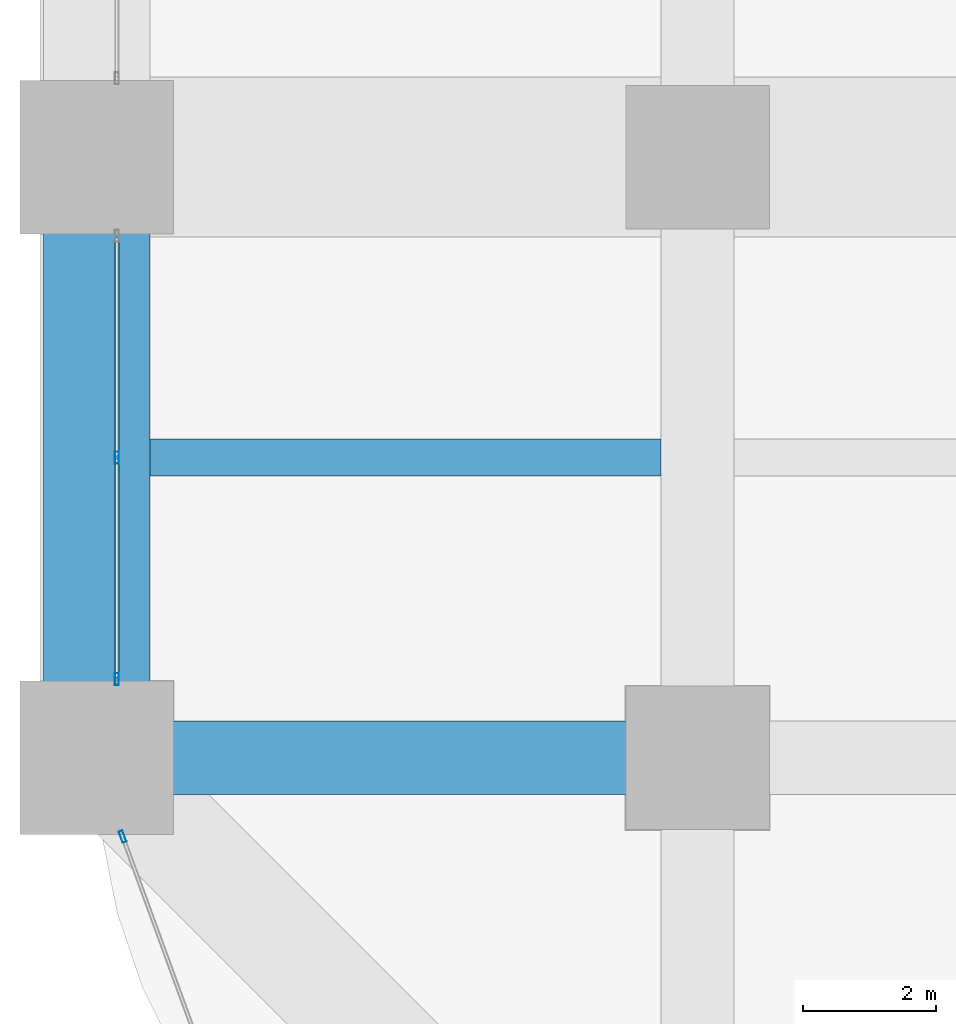
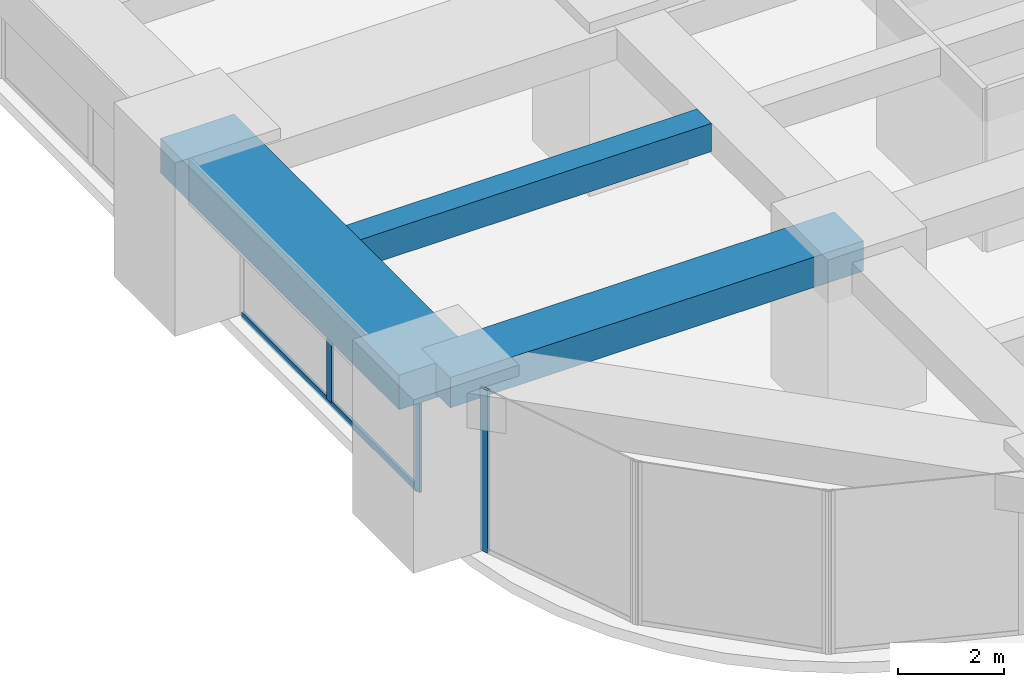
# One storey, part 4 of 44: 4 members, 3 beams, 2 elements without a shape of their own.
"""IFC4 building model written with IfcOpenShell, lengths in metres."""

import ifcopenshell
import ifcopenshell.guid

model = None  # the IFC model being written
_history = None  # IfcOwnerHistory: only IFC2X3 demands one
_inside = {}  # id of a spatial element -> (the spatial element, [elements in it])
_under = {}  # id of a project, library or spatial element -> (it, [spatial elements below it])
_declared = {}  # id of a project -> (the project, [libraries it declares])
_typed = {}  # id of a type object -> (the type object, [elements of that type])
_made_of = {}  # id of a material, layer set ... -> (it, [elements and type objects made of it])


def new_model(schema):
    """Start an empty IFC model of exactly this schema.

    Asked for "IFC4X3", IfcOpenShell would pick the latest addendum, in which some entities
    have other attributes; the version numbers below select the first issue.
    IFC2X3 requires an IfcOwnerHistory on every rooted entity: one is made here for all.
    """
    global model, _history
    if schema == "IFC4X3":
        model = ifcopenshell.file(schema_version=(4, 3, 0, 0))
    else:
        model = ifcopenshell.file(schema=schema)
    _inside.clear()
    _under.clear()
    _declared.clear()
    _typed.clear()
    _made_of.clear()
    _history = None
    if model.schema == "IFC2X3":
        org = make("IfcOrganization", Name="unknown")
        user = make(
            "IfcPersonAndOrganization",
            ThePerson=make("IfcPerson", FamilyName="unknown"),
            TheOrganization=org,
        )
        app = make(
            "IfcApplication",
            ApplicationDeveloper=org,
            Version="unknown",
            ApplicationFullName="unknown",
            ApplicationIdentifier="unknown",
        )
        _history = make(
            "IfcOwnerHistory",
            OwningUser=user,
            OwningApplication=app,
            ChangeAction="ADDED",
            CreationDate=0,
        )
    return model


def make(cls, **values):
    """One entity of the class cls with the attributes given. An attribute that is None is left unset."""
    return model.create_entity(
        cls, **{name: value for name, value in values.items() if value is not None}
    )


def rooted(cls, **values):
    """An entity with a GlobalId (a new one), such as an element, a storey or a relation."""
    return make(cls, GlobalId=ifcopenshell.guid.new(), OwnerHistory=_history, **values)


def si_unit(unit_type, name, prefix=None):
    """IfcSIUnit, for example si_unit("LENGTHUNIT", "METRE", prefix="MILLI")."""
    return make("IfcSIUnit", UnitType=unit_type, Prefix=prefix, Name=name)


def assignment(units):
    """IfcUnitAssignment: the units of a project."""
    return None if units is None else make("IfcUnitAssignment", Units=units)


def point(xyz):
    """IfcCartesianPoint."""
    return None if xyz is None else make("IfcCartesianPoint", Coordinates=xyz)


def direction(xyz):
    """IfcDirection."""
    return None if xyz is None else make("IfcDirection", DirectionRatios=xyz)


def frame(location, z_axis=None, x_axis=None):
    """IfcAxis2Placement3D, a coordinate frame: its origin and axes. An axis left out is left unset."""
    return make(
        "IfcAxis2Placement3D",
        Location=point(location),
        Axis=direction(z_axis),
        RefDirection=direction(x_axis),
    )


def frame_2d(location, x_axis=None):
    """IfcAxis2Placement2D, a coordinate frame in the plane: its origin and x axis."""
    return make(
        "IfcAxis2Placement2D", Location=point(location), RefDirection=direction(x_axis)
    )


def origin():
    """The frame at (0, 0, 0) with its axes left unset."""
    return frame((0.0, 0.0, 0.0))


def origin_2d():
    """The frame at (0, 0) in the plane with its x axis left unset."""
    return frame_2d((0.0, 0.0))


def place(relative_to, where):
    """IfcLocalPlacement: puts the frame where relative to a parent placement (None: the world)."""
    return make(
        "IfcLocalPlacement", PlacementRelTo=relative_to, RelativePlacement=where
    )


def context(
    kind, dimensions, precision=None, world=None, true_north=None, identifier=None
):
    """IfcGeometricRepresentationContext, for example the 3D "Model" context."""
    return make(
        "IfcGeometricRepresentationContext",
        ContextIdentifier=identifier,
        ContextType=kind,
        CoordinateSpaceDimension=dimensions,
        Precision=precision,
        WorldCoordinateSystem=world,
        TrueNorth=true_north,
    )


def subcontext(parent, identifier, kind, view, scale=None):
    """IfcGeometricRepresentationSubContext, for example "Body" below "Model"."""
    return make(
        "IfcGeometricRepresentationSubContext",
        ContextIdentifier=identifier,
        ContextType=kind,
        ParentContext=parent,
        TargetScale=scale,
        TargetView=view,
    )


def project(units=None, contexts=None):
    """IfcProject with its units and contexts."""
    return rooted(
        "IfcProject",
        Name="project",
        RepresentationContexts=contexts,
        UnitsInContext=assignment(units),
    )


def spatial(cls, under=None, at=None, **own):
    """A site, building, storey or space (cls), placed at a placement, below another one or the project."""
    s = rooted(cls, ObjectPlacement=at, **own)
    if under is not None:
        _under.setdefault(under.id(), (under, []))[1].append(s)
    return s


def profile(cls, at=None, kind="AREA", **sizes):
    """A parametric profile (cls). Its sizes go by their IFC names, for example OverallWidth=200.0."""
    return make(cls, ProfileType=kind, Position=at, **sizes)


def rectangle(**sizes):
    """IfcRectangleProfileDef."""
    return profile("IfcRectangleProfileDef", **sizes)


def hollow_rectangle(**sizes):
    """IfcRectangleHollowProfileDef."""
    return profile("IfcRectangleHollowProfileDef", **sizes)


def extrude(swept, where, along, depth):
    """IfcExtrudedAreaSolid: the profile swept, set in the frame where, extruded along a direction by depth."""
    return make(
        "IfcExtrudedAreaSolid",
        SweptArea=swept,
        Position=where,
        ExtrudedDirection=direction(along),
        Depth=depth,
    )


def shape(context_of_items, identifier, shape_type, items):
    """IfcShapeRepresentation: the items that make up one representation, for example the "Body"."""
    return make(
        "IfcShapeRepresentation",
        ContextOfItems=context_of_items,
        RepresentationIdentifier=identifier,
        RepresentationType=shape_type,
        Items=items,
    )


def material(Name=None, Category=None):
    """IfcMaterial."""
    return make("IfcMaterial", Name=Name, Category=Category)


def material_profile(
    of_material, cross_section, Name=None, Category=None, Priority=None
):
    """IfcMaterialProfile: a cross section and its material."""
    return make(
        "IfcMaterialProfile",
        Name=Name,
        Material=of_material,
        Profile=cross_section,
        Priority=Priority,
        Category=Category,
    )


def profile_set(profiles, Name=None, composite=None):
    """IfcMaterialProfileSet."""
    return make(
        "IfcMaterialProfileSet",
        Name=Name,
        MaterialProfiles=profiles,
        CompositeProfile=composite,
    )


def made_of(thing, what):
    """Note that an element or type object is made of a material, layer set ...; save() writes the relation."""
    if what is not None:
        _made_of.setdefault(what.id(), (what, []))[1].append(thing)
    return thing


def type_object(cls, material=None, **own):
    """A type object (cls), such as IfcWallType, which elements share."""
    return made_of(rooted(cls, **own), material)


def element(
    cls,
    number,
    at=None,
    inside=None,
    cuts=None,
    type_object=None,
    material=None,
    context=None,
    identifier="Body",
    shape_type=None,
    held_by="IfcProductDefinitionShape",
    body=None,
    shapes=None,
    **own,
):
    """One element of the class cls, such as IfcWall. Its Tag is "e" and its number.

    at: its placement. inside: the storey or other place that contains it. cuts: it is an
    opening in that element (IfcRelVoidsElement). A single representation is given by context,
    identifier, shape_type and body (its items); several are given by shapes. held_by: the class
    of the entity that holds the representations. save() writes the other relations.
    """
    e = rooted(cls, Tag="e%d" % number, ObjectPlacement=at, **own)
    if body is not None:
        shapes = [shape(context, identifier, shape_type, body)]
    if shapes is not None:
        e.Representation = make(held_by, Representations=shapes)
    if inside is not None:
        _inside.setdefault(inside.id(), (inside, []))[1].append(e)
    if cuts is not None:
        rooted(
            "IfcRelVoidsElement", RelatingBuildingElement=cuts, RelatedOpeningElement=e
        )
    if type_object is not None:
        _typed.setdefault(type_object.id(), (type_object, []))[1].append(e)
    return made_of(e, material)


def aggregate(whole, parts):
    """IfcRelAggregates: a whole, such as a stair, and the parts it consists of."""
    return rooted("IfcRelAggregates", RelatingObject=whole, RelatedObjects=parts)


def save(model, path):
    """Write the relations noted so far, then the file.

    IfcRelAggregates (storeys below a building ...), IfcRelContainedInSpatialStructure (elements
    in a storey), IfcRelDefinesByType, IfcRelAssociatesMaterial and IfcRelDeclares: one each for
    every whole, place, type object, material and project.
    """
    for whole, parts in _under.values():
        aggregate(whole, parts)
    for where, things in _inside.values():
        rooted(
            "IfcRelContainedInSpatialStructure",
            RelatedElements=things,
            RelatingStructure=where,
        )
    for kind, things in _typed.values():
        rooted("IfcRelDefinesByType", RelatedObjects=things, RelatingType=kind)
    for what, things in _made_of.values():
        rooted("IfcRelAssociatesMaterial", RelatedObjects=things, RelatingMaterial=what)
    for by, libraries in _declared.values():
        rooted("IfcRelDeclares", RelatingContext=by, RelatedDefinitions=libraries)
    model.write(path)


model = new_model("IFC4")

# Units and contexts
model_context = context("Model", 3, precision=1e-05, world=origin(), true_north=direction((0.0, 1.0)))
body_context = subcontext(model_context, "Body", "Model", "MODEL_VIEW")
ifc_project = project(units=[si_unit("LENGTHUNIT", "METRE"), si_unit("AREAUNIT", "SQUARE_METRE"), si_unit("VOLUMEUNIT", "CUBIC_METRE"), si_unit("PLANEANGLEUNIT", "RADIAN"), si_unit("MASSUNIT", "GRAM", prefix="KILO")], contexts=[model_context])

# Site, building, storey
site_placement = place(None, origin())
site = spatial("IfcSite", under=ifc_project, at=site_placement, CompositionType="ELEMENT")
building_placement = place(site_placement, origin())
building = spatial("IfcBuilding", under=site, at=building_placement, Name="Zorevar Civic Tower", CompositionType="ELEMENT")
storey_placement = place(building_placement, frame((0.0, 0.0, 63.800048828125)))
storey = spatial("IfcBuildingStorey", under=building, at=storey_placement, Name="L15", CompositionType="ELEMENT", Elevation=63.800048828125)

# Beams
ifc_material_1 = material(Name="Concrete C50/60", Category="concrete")
ifc_material_profile_1 = material_profile(ifc_material_1, rectangle(XDim=1.10009765625, YDim=0.699951171875, at=origin_2d()), Name="RC 1100x700")
ifc_profile_set_1 = profile_set([ifc_material_profile_1], Name="Concrete C50/60")
beam_type_1 = type_object("IfcBeamType", Name="Beam RC 1100x700", PredefinedType="BEAM", material=ifc_profile_set_1)
beam_1_placement = place(storey_placement, frame((0.0, 9.0, 3.39990234375), z_axis=(1.0, 0.0, 0.0), x_axis=(0.0, 1.0, 0.0)))
element("IfcBeam", 1, at=beam_1_placement, inside=storey, type_object=beam_type_1, Name="Girder L16", PredefinedType="BEAM", context=body_context, shape_type="SweptSolid", body=[
    extrude(rectangle(XDim=1.10009765625, YDim=0.699951171875, at=origin_2d()), origin(), (0.0, 0.0, 1.0), 9.0),
])
ifc_material_2 = material(Name="Concrete C50/60", Category="concrete")
ifc_material_profile_2 = material_profile(ifc_material_2, rectangle(XDim=0.550048828125, YDim=0.64990234375, at=origin_2d()), Name="RC 550x650")
ifc_profile_set_2 = profile_set([ifc_material_profile_2], Name="Concrete C50/60")
beam_type_2 = type_object("IfcBeamType", Name="Beam RC 550x650", PredefinedType="BEAM", material=ifc_profile_set_2)
beam_2_placement = place(storey_placement, frame((0.800048828125, 13.5, 3.425048828125), z_axis=(1.0, 0.0, 0.0), x_axis=(0.0, 1.0, 0.0)))
element("IfcBeam", 2, at=beam_2_placement, inside=storey, type_object=beam_type_2, Name="Secondary beam L16", PredefinedType="BEAM", context=body_context, shape_type="SweptSolid", body=[
    extrude(rectangle(XDim=0.550048828125, YDim=0.64990234375, at=origin_2d()), origin(), (0.0, 0.0, 1.0), 7.64990234375),
])

# Curtain wall, members
ifc_material_3 = material(Name="Dark grey solar-control glass in black aluminium frame", Category="aluminium")
curtain_wall_type = type_object("IfcCurtainWallType", Name="Curtain wall CW2 low zone", PredefinedType="NOTDEFINED", material=ifc_material_3)
curtain_wall_1_placement = place(storey_placement, origin())
curtain_wall_1 = element("IfcCurtainWall", 3, at=curtain_wall_1_placement, inside=storey, type_object=curtain_wall_type, Name="CW2 L15", PredefinedType="NOTDEFINED")
ifc_material_4 = material(Name="Aluminium, black anodised", Category="aluminium")
ifc_material_profile_3 = material_profile(ifc_material_4, hollow_rectangle(XDim=0.06005859375, YDim=0.179931640625, WallThickness=0.00390625, at=origin_2d()), Name="AL 180x60x4")
ifc_profile_set_3 = profile_set([ifc_material_profile_3], Name="Aluminium, black anodised")
member_type_1 = type_object("IfcMemberType", Name="CW2 mullion AL 180x60x4", PredefinedType="MULLION", material=ifc_profile_set_3)
member_1_placement = place(storey_placement, frame((0.300048828125, 10.179931640625, 0.0), z_axis=(0.0, 0.0, 1.0), x_axis=(-1.0, 0.0, 0.0)))
member_1 = element("IfcMember", 4, at=member_1_placement, type_object=member_type_1, Name="CW2 mullion 1", PredefinedType="MULLION", context=body_context, shape_type="SweptSolid", body=[
    extrude(hollow_rectangle(XDim=0.06005859375, YDim=0.179931640625, WallThickness=0.00390625, at=origin_2d()), origin(), (0.0, 0.0, 1.0), 2.949951171875),
])
member_2_placement = place(storey_placement, frame((0.300048828125, 13.5, 0.06005859375), z_axis=(0.0, 0.0, 1.0), x_axis=(-1.0, 0.0, 0.0)))
member_2 = element("IfcMember", 5, at=member_2_placement, type_object=member_type_1, Name="CW2 mullion 2", PredefinedType="MULLION", context=body_context, shape_type="SweptSolid", body=[
    extrude(hollow_rectangle(XDim=0.06005859375, YDim=0.179931640625, WallThickness=0.00390625, at=origin_2d()), origin(), (0.0, 0.0, 1.0), 2.889892578125),
])

# Curtain wall, member
curtain_wall_2_placement = place(storey_placement, origin())
curtain_wall_2 = element("IfcCurtainWall", 6, at=curtain_wall_2_placement, inside=storey, type_object=curtain_wall_type, Name="CW2 L15", PredefinedType="NOTDEFINED")
member_3_placement = place(storey_placement, frame((0.38671875, 7.82177734375, 0.0), z_axis=(0.0, 0.0, 1.0), x_axis=(0.939313345732, 0.343060400701, 0.0)))
member_3 = element("IfcMember", 7, at=member_3_placement, type_object=member_type_1, Name="CW2 mullion 1", PredefinedType="MULLION", context=body_context, shape_type="SweptSolid", body=[
    extrude(hollow_rectangle(XDim=0.06005859375, YDim=0.179931640625, WallThickness=0.00390625, at=origin_2d()), origin(), (0.0, 0.0, 1.0), 3.75),
])
aggregate(curtain_wall_2, [member_3])

# Member
ifc_material_5 = material(Name="Aluminium, black anodised", Category="aluminium")
ifc_material_profile_4 = material_profile(ifc_material_5, hollow_rectangle(XDim=0.06005859375, YDim=0.14990234375, WallThickness=0.00390625, at=origin_2d()), Name="AL 150x60x4")
ifc_profile_set_4 = profile_set([ifc_material_profile_4], Name="Aluminium, black anodised")
member_type_2 = type_object("IfcMemberType", Name="CW2 transom AL 150x60x4", PredefinedType="USERDEFINED", material=ifc_profile_set_4)
member_4_placement = place(storey_placement, frame((0.300048828125, 10.2099609375, 0.030029296875), z_axis=(0.0, 1.0, 0.0), x_axis=(-1.0, 0.0, 0.0)))
member_4 = element("IfcMember", 8, at=member_4_placement, type_object=member_type_2, Name="CW2 sill transom", ObjectType="TRANSOM", PredefinedType="USERDEFINED", context=body_context, shape_type="SweptSolid", body=[
    extrude(hollow_rectangle(XDim=0.06005859375, YDim=0.14990234375, WallThickness=0.00390625, at=origin_2d()), origin(), (0.0, 0.0, 1.0), 6.580078125),
])

aggregate(curtain_wall_1, [member_1, member_2, member_4])

# Beam
ifc_material_6 = material(Name="Concrete C50/60", Category="concrete")
ifc_material_profile_5 = material_profile(ifc_material_6, rectangle(XDim=1.60009765625, YDim=0.800048828125, at=origin_2d()), Name="RC 1600x800")
ifc_profile_set_5 = profile_set([ifc_material_profile_5], Name="Concrete C50/60")
beam_type_3 = type_object("IfcBeamType", Name="Edge beam RC 1600x800", PredefinedType="SPANDREL", material=ifc_profile_set_5)
beam_3_placement = place(storey_placement, frame((0.0, 9.0, 3.349853515625), z_axis=(0.0, 1.0, 0.0), x_axis=(-1.0, 0.0, 0.0)))
element("IfcBeam", 9, at=beam_3_placement, inside=storey, type_object=beam_type_3, Name="Edge beam L16", PredefinedType="SPANDREL", context=body_context, shape_type="SweptSolid", body=[
    extrude(rectangle(XDim=1.60009765625, YDim=0.800048828125, at=origin_2d()), origin(), (0.0, 0.0, 1.0), 9.0),
])

save(model, "model.ifc")
